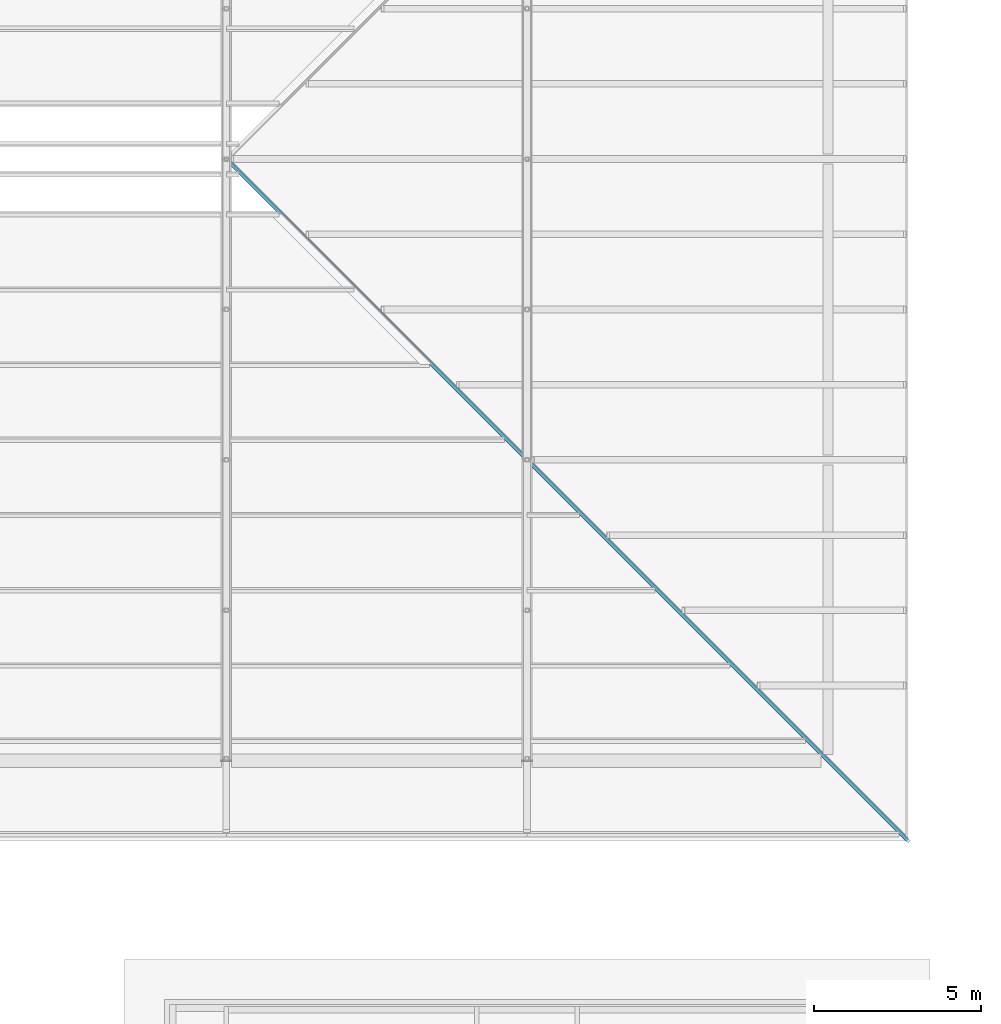
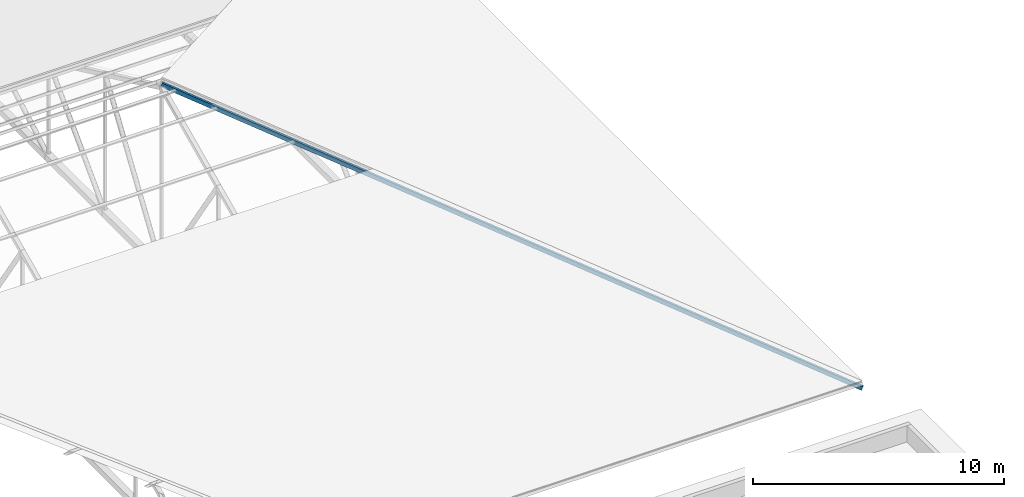
# One storey, part 67 of 154: 1 member.
"""IFC4 building model written with IfcOpenShell, lengths in metres."""

from ifc_helpers import new_model, si_unit, direction, frame, origin, origin_2d, place, context, subcontext, project, spatial, hollow_rectangle, extrude, material, material_profile, profile_set, type_object, element, save


model = new_model("IFC4")

# Units and contexts
model_context = context("Model", 3, precision=1e-05, world=origin(), true_north=direction((0.0, 1.0)))
body_context = subcontext(model_context, "Body", "Model", "MODEL_VIEW")
ifc_project = project(units=[si_unit("LENGTHUNIT", "METRE"), si_unit("AREAUNIT", "SQUARE_METRE"), si_unit("VOLUMEUNIT", "CUBIC_METRE"), si_unit("PLANEANGLEUNIT", "RADIAN"), si_unit("MASSUNIT", "GRAM", prefix="KILO")], contexts=[model_context])

# Site, building, storey
site_placement = place(None, origin())
site = spatial("IfcSite", under=ifc_project, at=site_placement, CompositionType="ELEMENT")
building_placement = place(site_placement, origin())
building = spatial("IfcBuilding", under=site, at=building_placement, Name="Golden Quay Civic Hall", CompositionType="ELEMENT")
storey_placement = place(building_placement, frame((0.0, 0.0, 14.39990234375)))
storey = spatial("IfcBuildingStorey", under=building, at=storey_placement, Name="L03", CompositionType="ELEMENT", Elevation=14.39990234375)

# Member
ifc_material = material(Name="Steel S355", Category="steel")
ifc_material_profile = material_profile(ifc_material, hollow_rectangle(XDim=0.10009765625, YDim=0.199951171875, WallThickness=0.008056640625, at=origin_2d()), Name="RHS 200x100x8")
ifc_profile_set = profile_set([ifc_material_profile], Name="Steel S355")
member_type = type_object("IfcMemberType", Name="Steel hip rafter RHS 200x100x8", PredefinedType="RAFTER", material=ifc_profile_set)
member_placement = place(storey_placement, frame((173.39990234375, 60.60009765625, -0.663818359375), z_axis=(-0.671542486874, 0.671542486874, 0.313147531757), x_axis=(-0.707106781187, -0.707106781187, 0.0)))
element("IfcMember", 1, at=member_placement, inside=storey, type_object=member_type, Name="Hip rafter south-east L03", PredefinedType="RAFTER", context=body_context, shape_type="SweptSolid", body=[
    extrude(hollow_rectangle(XDim=0.10009765625, YDim=0.199951171875, WallThickness=0.008056640625, at=origin_2d()), origin(), (0.0, 0.0, 1.0), 30.377685546875),
])

save(model, "model.ifc")
